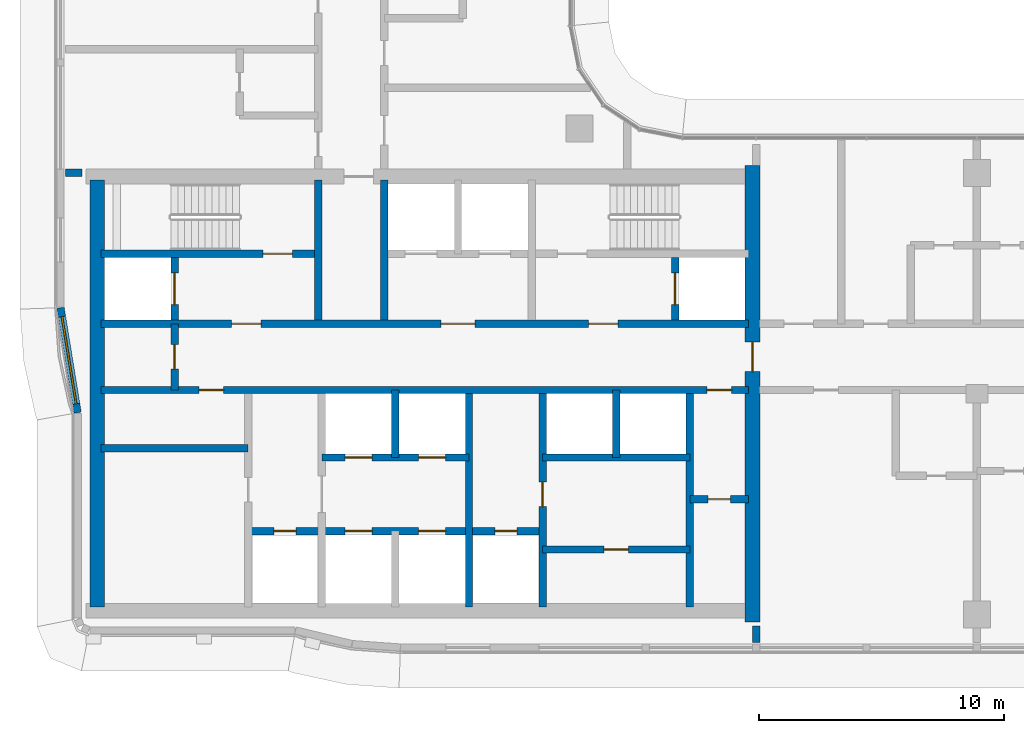
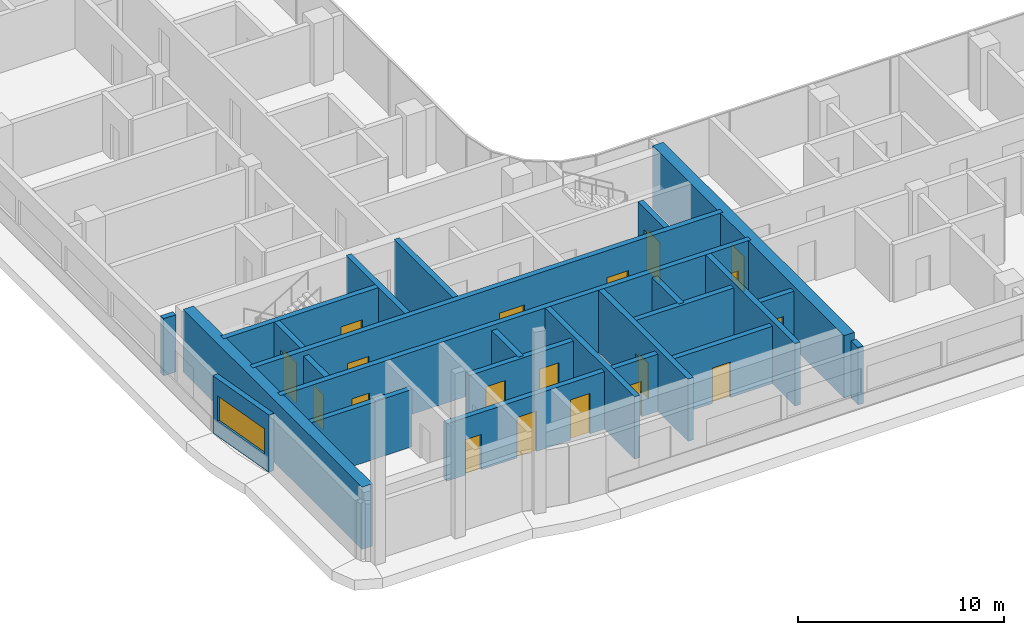
# One storey, part 9 of 24: 24 walls, 19 doors, 1 window, 20 openings.
"""IFC4 building model written with IfcOpenShell, lengths in metres."""

from ifc_helpers import new_model, si_unit, direction, frame, frame_2d, origin, place, context, subcontext, project, spatial, rectangle, extrude, material, layer, layer_set, type_object, element, fill, save


model = new_model("IFC4")

# Units and contexts
model_context = context("Model", 3, precision=1e-05, world=origin(), true_north=direction((0.0, 1.0)))
body_context = subcontext(model_context, "Body", "Model", "MODEL_VIEW")
ifc_project = project(units=[si_unit("LENGTHUNIT", "METRE"), si_unit("AREAUNIT", "SQUARE_METRE"), si_unit("VOLUMEUNIT", "CUBIC_METRE"), si_unit("PLANEANGLEUNIT", "RADIAN"), si_unit("MASSUNIT", "GRAM", prefix="KILO")], contexts=[model_context])

# Site, building, storey
site_placement = place(None, origin())
site = spatial("IfcSite", under=ifc_project, at=site_placement, CompositionType="ELEMENT")
building_placement = place(site_placement, origin())
building = spatial("IfcBuilding", under=site, at=building_placement, Name="Ogive Portal Towers", CompositionType="ELEMENT")
storey_placement = place(building_placement, frame((0.0, 0.0, 142.199951171875)))
storey = spatial("IfcBuildingStorey", under=building, at=storey_placement, Name="L34", CompositionType="ELEMENT", Elevation=142.199951171875)

# Wall
ifc_material_1 = material(Name="Concrete C60/75", Category="concrete")
ifc_layer_1 = layer(ifc_material_1, 0.300048828125)
ifc_layer_set_1 = layer_set([ifc_layer_1], Name="CORE WALL 300 C60")
wall_type_1 = type_object("IfcWallType", Name="CORE WALL 300 C60", PredefinedType="SHEAR", material=ifc_layer_set_1)
wall_1_placement = place(storey_placement, frame((46.800048828125, 21.800048828125, 0.0), z_axis=(0.0, 0.0, 1.0), x_axis=(0.0, 1.0, 0.0)))
element("IfcWall", 1, at=wall_1_placement, inside=storey, type_object=wall_type_1, Name="Core wall X3 L34", PredefinedType="SHEAR", context=body_context, shape_type="SweptSolid", body=[
    extrude(rectangle(XDim=8.699951171875, YDim=0.300048828125, at=frame_2d((4.35009765625, 0.0))), origin(), (0.0, 0.0, 1.0), 3.699951171875),
])

# Wall, opening, door
wall_2_placement = place(storey_placement, frame((49.800048828125, 21.800048828125, 0.0), z_axis=(0.0, 0.0, 1.0), x_axis=(0.0, 1.0, 0.0)))
wall_2 = element("IfcWall", 2, at=wall_2_placement, inside=storey, type_object=wall_type_1, Name="Core wall X4 L34", PredefinedType="SHEAR", context=body_context, shape_type="SweptSolid", body=[
    extrude(rectangle(XDim=8.699951171875, YDim=0.300048828125, at=frame_2d((4.35009765625, 0.0))), origin(), (0.0, 0.0, 1.0), 3.699951171875),
])
opening_1_placement = place(wall_2_placement, frame((4.10009765625, 0.0, 0.0)))
opening_1 = element("IfcOpeningElement", 3, at=opening_1_placement, cuts=wall_2, Name="Opening D13-023", PredefinedType="OPENING", context=body_context, shape_type="SweptSolid", body=[
    extrude(rectangle(XDim=1.0, YDim=2.10009765625, at=frame_2d((0.5, 1.050048828125))), frame((0.0, 0.16015625, 0.0), z_axis=(0.0, -1.0, 0.0), x_axis=(1.0, 0.0, 0.0)), (0.0, 0.0, 1.0), 0.320068359375),
])
ifc_material_2 = material(Name="Steel fire door", Category="steel")
door_type_1 = type_object("IfcDoorType", Name="DT-SWING-1000x2100-FD90S", OperationType="SINGLE_SWING_LEFT", PredefinedType="DOOR", material=ifc_material_2)
door_1_placement = place(opening_1_placement, origin())
door_1 = element("IfcDoor", 4, at=door_1_placement, inside=storey, type_object=door_type_1, Name="Door D13-023", OperationType="SINGLE_SWING_LEFT", OverallHeight=2.10009765625, OverallWidth=1.0, PredefinedType="DOOR", context=body_context, shape_type="SweptSolid", body=[
    extrude(rectangle(XDim=1.0, YDim=2.10009765625, at=frame_2d((0.5, 1.050048828125))), frame((0.0, 0.02490234375, 0.0), z_axis=(0.0, -1.0, 0.0), x_axis=(1.0, 0.0, 0.0)), (0.0, 0.0, 1.0), 0.050048828125),
])
fill(opening_1, door_1)

# Wall
wall_3_placement = place(storey_placement, frame((55.800048828125, 21.800048828125, 0.0), z_axis=(0.0, 0.0, 1.0), x_axis=(0.0, 1.0, 0.0)))
element("IfcWall", 5, at=wall_3_placement, inside=storey, type_object=wall_type_1, Name="Core wall X5 L34", PredefinedType="SHEAR", context=body_context, shape_type="SweptSolid", body=[
    extrude(rectangle(XDim=8.699951171875, YDim=0.300048828125, at=frame_2d((4.35009765625, 0.0))), origin(), (0.0, 0.0, 1.0), 3.699951171875),
])

# Wall, openings, doors
wall_4_placement = place(storey_placement, frame((31.800048828125, 30.64990234375, 0.0), z_axis=(0.0, 0.0, 1.0), x_axis=(1.0, 0.0, 0.0)))
wall_4 = element("IfcWall", 6, at=wall_4_placement, inside=storey, type_object=wall_type_1, Name="Core wall Y1 L34", PredefinedType="SHEAR", context=body_context, shape_type="SweptSolid", body=[
    extrude(rectangle(XDim=26.39990234375, YDim=0.300048828125, at=frame_2d((13.199951171875, 0.0))), origin(), (0.0, 0.0, 1.0), 3.699951171875),
])
opening_2_placement = place(wall_4_placement, frame((24.699951171875, 0.0, 0.0)))
opening_2 = element("IfcOpeningElement", 7, at=opening_2_placement, cuts=wall_4, Name="Opening D13-009", PredefinedType="OPENING", context=body_context, shape_type="SweptSolid", body=[
    extrude(rectangle(XDim=1.0, YDim=2.10009765625, at=frame_2d((0.5, 1.050048828125))), frame((0.0, 0.16015625, 0.0), z_axis=(0.0, -1.0, 0.0), x_axis=(1.0, 0.0, 0.0)), (0.0, 0.0, 1.0), 0.320068359375),
])
opening_3_placement = place(wall_4_placement, frame((4.0, 0.0, 0.0)))
opening_3 = element("IfcOpeningElement", 8, at=opening_3_placement, cuts=wall_4, Name="Opening D13-021", PredefinedType="OPENING", context=body_context, shape_type="SweptSolid", body=[
    extrude(rectangle(XDim=1.0, YDim=2.10009765625, at=frame_2d((0.5, 1.050048828125))), frame((0.0, 0.16015625, 0.0), z_axis=(0.0, -1.0, 0.0), x_axis=(1.0, 0.0, 0.0)), (0.0, 0.0, 1.0), 0.320068359375),
])
door_2_placement = place(opening_2_placement, origin())
door_2 = element("IfcDoor", 9, at=door_2_placement, inside=storey, type_object=door_type_1, Name="Door D13-009", OperationType="SINGLE_SWING_LEFT", OverallHeight=2.10009765625, OverallWidth=1.0, PredefinedType="DOOR", context=body_context, shape_type="SweptSolid", body=[
    extrude(rectangle(XDim=1.0, YDim=2.10009765625, at=frame_2d((0.5, 1.050048828125))), frame((0.0, 0.02490234375, 0.0), z_axis=(0.0, -1.0, 0.0), x_axis=(1.0, 0.0, 0.0)), (0.0, 0.0, 1.0), 0.050048828125),
])
fill(opening_2, door_2)
door_3_placement = place(opening_3_placement, origin())
door_3 = element("IfcDoor", 10, at=door_3_placement, inside=storey, type_object=door_type_1, Name="Riser access door D13-021", OperationType="SINGLE_SWING_LEFT", OverallHeight=2.10009765625, OverallWidth=1.0, PredefinedType="DOOR", context=body_context, shape_type="SweptSolid", body=[
    extrude(rectangle(XDim=1.0, YDim=2.10009765625, at=frame_2d((0.5, 1.050048828125))), frame((0.0, 0.02490234375, 0.0), z_axis=(0.0, -1.0, 0.0), x_axis=(1.0, 0.0, 0.0)), (0.0, 0.0, 1.0), 0.050048828125),
])
fill(opening_3, door_3)

wall_5_placement = place(storey_placement, frame((31.800048828125, 33.35009765625, 0.0), z_axis=(0.0, 0.0, 1.0), x_axis=(1.0, 0.0, 0.0)))
wall_5 = element("IfcWall", 11, at=wall_5_placement, inside=storey, type_object=wall_type_1, Name="Core wall Y2 L34", PredefinedType="SHEAR", context=body_context, shape_type="SweptSolid", body=[
    extrude(rectangle(XDim=26.39990234375, YDim=0.300048828125, at=frame_2d((13.199951171875, 0.0))), origin(), (0.0, 0.0, 1.0), 3.699951171875),
])
opening_4_placement = place(wall_5_placement, frame((13.85009765625, 0.0, 0.0)))
opening_4 = element("IfcOpeningElement", 12, at=opening_4_placement, cuts=wall_5, Name="Opening D13-002", PredefinedType="OPENING", context=body_context, shape_type="SweptSolid", body=[
    extrude(rectangle(XDim=1.39990234375, YDim=2.10009765625, at=frame_2d((0.699951171875, 1.050048828125))), frame((0.0, 0.16015625, 0.0), z_axis=(0.0, -1.0, 0.0), x_axis=(1.0, 0.0, 0.0)), (0.0, 0.0, 1.0), 0.320068359375),
])
opening_5_placement = place(wall_5_placement, frame((5.324951171875, 0.0, 0.0)))
opening_5 = element("IfcOpeningElement", 13, at=opening_5_placement, cuts=wall_5, Name="Opening D13-003", PredefinedType="OPENING", context=body_context, shape_type="SweptSolid", body=[
    extrude(rectangle(XDim=1.199951171875, YDim=2.10009765625, at=frame_2d((0.60009765625, 1.050048828125))), frame((0.0, 0.16015625, 0.0), z_axis=(0.0, -1.0, 0.0), x_axis=(1.0, 0.0, 0.0)), (0.0, 0.0, 1.0), 0.320068359375),
])
opening_6_placement = place(wall_5_placement, frame((19.875, 0.0, 0.0)))
opening_6 = element("IfcOpeningElement", 14, at=opening_6_placement, cuts=wall_5, Name="Opening D13-004", PredefinedType="OPENING", context=body_context, shape_type="SweptSolid", body=[
    extrude(rectangle(XDim=1.199951171875, YDim=2.10009765625, at=frame_2d((0.60009765625, 1.050048828125))), frame((0.0, 0.16015625, 0.0), z_axis=(0.0, -1.0, 0.0), x_axis=(1.0, 0.0, 0.0)), (0.0, 0.0, 1.0), 0.320068359375),
])
door_type_2 = type_object("IfcDoorType", Name="DT-SWING-1200x2100-FD90S", OperationType="SINGLE_SWING_LEFT", PredefinedType="DOOR", material=ifc_material_2)
door_4_placement = place(opening_5_placement, origin())
door_4 = element("IfcDoor", 15, at=door_4_placement, inside=storey, type_object=door_type_2, Name="Door D13-003", OperationType="SINGLE_SWING_LEFT", OverallHeight=2.10009765625, OverallWidth=1.199951171875, PredefinedType="DOOR", context=body_context, shape_type="SweptSolid", body=[
    extrude(rectangle(XDim=1.199951171875, YDim=2.10009765625, at=frame_2d((0.60009765625, 1.050048828125))), frame((0.0, 0.02490234375, 0.0), z_axis=(0.0, -1.0, 0.0), x_axis=(1.0, 0.0, 0.0)), (0.0, 0.0, 1.0), 0.050048828125),
])
fill(opening_5, door_4)
door_5_placement = place(opening_6_placement, origin())
door_5 = element("IfcDoor", 16, at=door_5_placement, inside=storey, type_object=door_type_2, Name="Door D13-004", OperationType="SINGLE_SWING_RIGHT", OverallHeight=2.10009765625, OverallWidth=1.199951171875, PredefinedType="DOOR", context=body_context, shape_type="SweptSolid", body=[
    extrude(rectangle(XDim=1.199951171875, YDim=2.10009765625, at=frame_2d((0.60009765625, 1.050048828125))), frame((0.0, 0.02490234375, 0.0), z_axis=(0.0, -1.0, 0.0), x_axis=(1.0, 0.0, 0.0)), (0.0, 0.0, 1.0), 0.050048828125),
])
fill(opening_6, door_5)
door_type_3 = type_object("IfcDoorType", Name="DT-SWING-1400x2100-FD90S", OperationType="SINGLE_SWING_LEFT", PredefinedType="DOOR", material=ifc_material_2)
door_6_placement = place(opening_4_placement, origin())
door_6 = element("IfcDoor", 17, at=door_6_placement, inside=storey, type_object=door_type_3, Name="Door D13-002", OperationType="SINGLE_SWING_RIGHT", OverallHeight=2.10009765625, OverallWidth=1.39990234375, PredefinedType="DOOR", context=body_context, shape_type="SweptSolid", body=[
    extrude(rectangle(XDim=1.39990234375, YDim=2.10009765625, at=frame_2d((0.699951171875, 1.050048828125))), frame((0.0, 0.02490234375, 0.0), z_axis=(0.0, -1.0, 0.0), x_axis=(1.0, 0.0, 0.0)), (0.0, 0.0, 1.0), 0.050048828125),
])
fill(opening_4, door_6)

# Wall, opening, door
wall_6_placement = place(storey_placement, frame((31.800048828125, 36.199951171875, 0.0), z_axis=(0.0, 0.0, 1.0), x_axis=(1.0, 0.0, 0.0)))
wall_6 = element("IfcWall", 18, at=wall_6_placement, inside=storey, type_object=wall_type_1, Name="Core wall Y3a L34", PredefinedType="SHEAR", context=body_context, shape_type="SweptSolid", body=[
    extrude(rectangle(XDim=8.699951171875, YDim=0.300048828125, at=frame_2d((4.35009765625, 0.0))), origin(), (0.0, 0.0, 1.0), 3.699951171875),
])
opening_7_placement = place(wall_6_placement, frame((6.60009765625, 0.0, 0.0)))
opening_7 = element("IfcOpeningElement", 19, at=opening_7_placement, cuts=wall_6, Name="Opening D13-005", PredefinedType="OPENING", context=body_context, shape_type="SweptSolid", body=[
    extrude(rectangle(XDim=1.199951171875, YDim=2.10009765625, at=frame_2d((0.60009765625, 1.050048828125))), frame((0.0, 0.16015625, 0.0), z_axis=(0.0, -1.0, 0.0), x_axis=(1.0, 0.0, 0.0)), (0.0, 0.0, 1.0), 0.320068359375),
])
door_7_placement = place(opening_7_placement, origin())
door_7 = element("IfcDoor", 20, at=door_7_placement, inside=storey, type_object=door_type_2, Name="Door D13-005", OperationType="SINGLE_SWING_RIGHT", OverallHeight=2.10009765625, OverallWidth=1.199951171875, PredefinedType="DOOR", context=body_context, shape_type="SweptSolid", body=[
    extrude(rectangle(XDim=1.199951171875, YDim=2.10009765625, at=frame_2d((0.60009765625, 1.050048828125))), frame((0.0, 0.02490234375, 0.0), z_axis=(0.0, -1.0, 0.0), x_axis=(1.0, 0.0, 0.0)), (0.0, 0.0, 1.0), 0.050048828125),
])
fill(opening_7, door_7)

# Walls
for number, where, z_axis, x_axis, name in (
    (21, (40.64990234375, 33.5, 0.0), (0.0, 0.0, 1.0), (0.0, 1.0, 0.0), "Core wall X6 L34"),
    (22, (43.35009765625, 33.5, 0.0), (0.0, 0.0, 1.0), (0.0, 1.0, 0.0), "Core wall X7 L34"),
):
    element("IfcWall", number, at=place(storey_placement, frame(where, z_axis=z_axis, x_axis=x_axis)), inside=storey, type_object=wall_type_1, Name=name, PredefinedType="SHEAR", context=body_context, shape_type="SweptSolid", body=[
        extrude(rectangle(XDim=5.699951171875, YDim=0.300048828125, at=frame_2d((2.85009765625, 0.0))), origin(), (0.0, 0.0, 1.0), 3.699951171875),
    ])

# Wall, opening, door
wall_7_placement = place(storey_placement, frame((34.800048828125, 33.5, 0.0), z_axis=(0.0, 0.0, 1.0), x_axis=(0.0, 1.0, 0.0)))
wall_7 = element("IfcWall", 23, at=wall_7_placement, inside=storey, type_object=wall_type_1, Name="Core wall X8 L34", PredefinedType="SHEAR", context=body_context, shape_type="SweptSolid", body=[
    extrude(rectangle(XDim=2.550048828125, YDim=0.300048828125, at=frame_2d((1.27490234375, 0.0))), origin(), (0.0, 0.0, 1.0), 3.699951171875),
])
opening_8_placement = place(wall_7_placement, frame((0.625, 0.0, 0.0)))
opening_8 = element("IfcOpeningElement", 24, at=opening_8_placement, cuts=wall_7, Name="Opening D13-019", PredefinedType="OPENING", context=body_context, shape_type="SweptSolid", body=[
    extrude(rectangle(XDim=1.300048828125, YDim=2.39990234375, at=frame_2d((0.64990234375, 1.199951171875))), frame((0.0, 0.16015625, 0.0), z_axis=(0.0, -1.0, 0.0), x_axis=(1.0, 0.0, 0.0)), (0.0, 0.0, 1.0), 0.320068359375),
])
ifc_material_3 = material(Name="Stainless steel", Category="steel")
door_type_4 = type_object("IfcDoorType", Name="DT-LD-1300x2400", OperationType="SLIDING_TO_LEFT", PredefinedType="DOOR", material=ifc_material_3)
door_8_placement = place(opening_8_placement, origin())
door_8 = element("IfcDoor", 25, at=door_8_placement, inside=storey, type_object=door_type_4, Name="Door D13-019", OperationType="SLIDING_TO_LEFT", OverallHeight=2.39990234375, OverallWidth=1.300048828125, PredefinedType="DOOR", context=body_context, shape_type="SweptSolid", body=[
    extrude(rectangle(XDim=1.300048828125, YDim=2.39990234375, at=frame_2d((0.64990234375, 1.199951171875))), frame((0.0, 0.02490234375, 0.0), z_axis=(0.0, -1.0, 0.0), x_axis=(1.0, 0.0, 0.0)), (0.0, 0.0, 1.0), 0.050048828125),
])
fill(opening_8, door_8)

wall_8_placement = place(storey_placement, frame((55.199951171875, 33.5, 0.0), z_axis=(0.0, 0.0, 1.0), x_axis=(0.0, 1.0, 0.0)))
wall_8 = element("IfcWall", 26, at=wall_8_placement, inside=storey, type_object=wall_type_1, Name="Core wall X10 L34", PredefinedType="SHEAR", context=body_context, shape_type="SweptSolid", body=[
    extrude(rectangle(XDim=2.550048828125, YDim=0.300048828125, at=frame_2d((1.27490234375, 0.0))), origin(), (0.0, 0.0, 1.0), 3.699951171875),
])
opening_9_placement = place(wall_8_placement, frame((0.625, 0.0, 0.0)))
opening_9 = element("IfcOpeningElement", 27, at=opening_9_placement, cuts=wall_8, Name="Opening D13-020", PredefinedType="OPENING", context=body_context, shape_type="SweptSolid", body=[
    extrude(rectangle(XDim=1.300048828125, YDim=2.39990234375, at=frame_2d((0.64990234375, 1.199951171875))), frame((0.0, 0.16015625, 0.0), z_axis=(0.0, -1.0, 0.0), x_axis=(1.0, 0.0, 0.0)), (0.0, 0.0, 1.0), 0.320068359375),
])
door_9_placement = place(opening_9_placement, origin())
door_9 = element("IfcDoor", 28, at=door_9_placement, inside=storey, type_object=door_type_4, Name="Door D13-020", OperationType="SLIDING_TO_LEFT", OverallHeight=2.39990234375, OverallWidth=1.300048828125, PredefinedType="DOOR", context=body_context, shape_type="SweptSolid", body=[
    extrude(rectangle(XDim=1.300048828125, YDim=2.39990234375, at=frame_2d((0.64990234375, 1.199951171875))), frame((0.0, 0.02490234375, 0.0), z_axis=(0.0, -1.0, 0.0), x_axis=(1.0, 0.0, 0.0)), (0.0, 0.0, 1.0), 0.050048828125),
])
fill(opening_9, door_9)

# Wall
ifc_layer_2 = layer(ifc_material_1, 0.60009765625)
ifc_layer_set_2 = layer_set([ifc_layer_2], Name="CORE WALL 600 C60")
wall_type_2 = type_object("IfcWallType", Name="CORE WALL 600 C60", PredefinedType="SHEAR", material=ifc_layer_set_2)
wall_9_placement = place(storey_placement, frame((31.64990234375, 21.800048828125, 0.0), z_axis=(0.0, 0.0, 1.0), x_axis=(0.0, 1.0, 0.0)))
element("IfcWall", 29, at=wall_9_placement, inside=storey, type_object=wall_type_2, Name="Core wall W L34", PredefinedType="SHEAR", context=body_context, shape_type="SweptSolid", body=[
    extrude(rectangle(XDim=17.39990234375, YDim=0.60009765625, at=frame_2d((8.699951171875, 0.0))), origin(), (0.0, 0.0, 1.0), 3.699951171875),
])

# Wall, opening, door
wall_10_placement = place(storey_placement, frame((58.35009765625, 21.199951171875, 0.0), z_axis=(0.0, 0.0, 1.0), x_axis=(0.0, 1.0, 0.0)))
wall_10 = element("IfcWall", 30, at=wall_10_placement, inside=storey, type_object=wall_type_2, Name="Core wall E L34", PredefinedType="SHEAR", context=body_context, shape_type="SweptSolid", body=[
    extrude(rectangle(XDim=18.60009765625, YDim=0.60009765625, at=frame_2d((9.300048828125, 0.0))), origin(), (0.0, 0.0, 1.0), 3.699951171875),
])
opening_10_placement = place(wall_10_placement, frame((10.199951171875, 0.0, 0.0)))
opening_10 = element("IfcOpeningElement", 31, at=opening_10_placement, cuts=wall_10, Name="Opening D13-011", PredefinedType="OPENING", context=body_context, shape_type="SweptSolid", body=[
    extrude(rectangle(XDim=1.199951171875, YDim=2.10009765625, at=frame_2d((0.60009765625, 1.050048828125))), frame((0.0, 0.31005859375, 0.0), z_axis=(0.0, -1.0, 0.0), x_axis=(1.0, 0.0, 0.0)), (0.0, 0.0, 1.0), 0.6201171875),
])
door_10_placement = place(opening_10_placement, origin())
door_10 = element("IfcDoor", 32, at=door_10_placement, inside=storey, type_object=door_type_2, Name="Door D13-011", OperationType="SINGLE_SWING_LEFT", OverallHeight=2.10009765625, OverallWidth=1.199951171875, PredefinedType="DOOR", context=body_context, shape_type="SweptSolid", body=[
    extrude(rectangle(XDim=1.199951171875, YDim=2.10009765625, at=frame_2d((0.60009765625, 1.050048828125))), frame((0.0, 0.02490234375, 0.0), z_axis=(0.0, -1.0, 0.0), x_axis=(1.0, 0.0, 0.0)), (0.0, 0.0, 1.0), 0.050048828125),
])
fill(opening_10, door_10)

# Wall, opening, window
ifc_material_4 = material(Name="Limestone cladding on lightweight block wall", Category="masonry")
ifc_layer_3 = layer(ifc_material_4, 0.300048828125)
ifc_layer_set_3 = layer_set([ifc_layer_3], Name="EXTERNAL WALL 300 STONE")
wall_type_3 = type_object("IfcWallType", Name="EXTERNAL WALL 300 STONE", PredefinedType="SOLIDWALL", material=ifc_layer_set_3)
wall_11_placement = place(storey_placement, frame((30.15185546875, 34.000244140625, 0.0), z_axis=(0.0, 0.0, 1.0), x_axis=(0.160697303067, -0.987003736967, 0.0)))
wall_11 = element("IfcWall", 33, at=wall_11_placement, inside=storey, type_object=wall_type_3, Name="A:L34:f25:r0:wall", PredefinedType="SOLIDWALL", context=body_context, shape_type="SweptSolid", body=[
    extrude(rectangle(XDim=4.3330078125, YDim=0.300048828125, at=frame_2d((2.16650390625, 0.0))), origin(), (0.0, 0.0, 1.0), 3.400146484375),
])
opening_11_placement = place(wall_11_placement, frame((0.366455078125, 0.0, 0.89990234375)))
opening_11 = element("IfcOpeningElement", 34, at=opening_11_placement, cuts=wall_11, Name="Opening WN12", PredefinedType="OPENING", context=body_context, shape_type="SweptSolid", body=[
    extrude(rectangle(XDim=3.60009765625, YDim=1.5, at=frame_2d((1.800048828125, 0.75))), frame((0.0, 0.16015625, 0.0), z_axis=(0.0, -1.0, 0.0), x_axis=(1.0, 0.0, 0.0)), (0.0, 0.0, 1.0), 0.320068359375),
])
ifc_material_5 = material(Name="Glass, clear low-iron insulated glazing", Category="glass")
window_type = type_object("IfcWindowType", Name="WINDOW RIBBON 3600x1500", PartitioningType="TRIPLE_PANEL_VERTICAL", PredefinedType="WINDOW", material=ifc_material_5)
window_placement = place(opening_11_placement, origin())
window = element("IfcWindow", 35, at=window_placement, inside=storey, type_object=window_type, Name="A:L34:f25:r0:w0", OverallHeight=1.5, OverallWidth=3.60009765625, PartitioningType="SINGLE_PANEL", PredefinedType="WINDOW", context=body_context, shape_type="SweptSolid", body=[
    extrude(rectangle(XDim=3.60009765625, YDim=1.5, at=frame_2d((1.800048828125, 0.75))), frame((0.0, 0.030029296875, 0.0), z_axis=(0.0, -1.0, 0.0), x_axis=(1.0, 0.0, 0.0)), (0.0, 0.0, 1.0), 0.06005859375),
])
fill(opening_11, window)

# Wall, opening, door
ifc_material_6 = material(Name="Gypsum board partition on steel studs", Category="steel")
ifc_layer_4 = layer(ifc_material_6, 0.300048828125)
ifc_layer_set_4 = layer_set([ifc_layer_4], Name="WT-PART-300")
wall_type_4 = type_object("IfcWallType", Name="WT-PART-300", PredefinedType="PARTITIONING", material=ifc_layer_set_4)
wall_12_placement = place(storey_placement, frame((49.800048828125, 24.14990234375, 0.0), z_axis=(0.0, 0.0, 1.0), x_axis=(1.0, 0.0, 0.0)))
wall_12 = element("IfcWall", 36, at=wall_12_placement, inside=storey, type_object=wall_type_4, Name="Wall pw:001:L34", PredefinedType="PARTITIONING", context=body_context, shape_type="SweptSolid", body=[
    extrude(rectangle(XDim=6.0, YDim=0.300048828125, at=frame_2d((3.0, 0.0))), origin(), (0.0, 0.0, 1.0), 3.400146484375),
])
opening_12_placement = place(wall_12_placement, frame((2.5, 0.0, 0.0)))
opening_12 = element("IfcOpeningElement", 37, at=opening_12_placement, cuts=wall_12, Name="Opening D13-024", PredefinedType="OPENING", context=body_context, shape_type="SweptSolid", body=[
    extrude(rectangle(XDim=1.0, YDim=2.10009765625, at=frame_2d((0.5, 1.050048828125))), frame((0.0, 0.16015625, 0.0), z_axis=(0.0, -1.0, 0.0), x_axis=(1.0, 0.0, 0.0)), (0.0, 0.0, 1.0), 0.320068359375),
])
door_type_5 = type_object("IfcDoorType", Name="DT-SWING-1000x2100-FD60S", OperationType="SINGLE_SWING_LEFT", PredefinedType="DOOR", material=ifc_material_2)
door_11_placement = place(opening_12_placement, origin())
door_11 = element("IfcDoor", 38, at=door_11_placement, inside=storey, type_object=door_type_5, Name="Door D13-024", OperationType="SINGLE_SWING_RIGHT", OverallHeight=2.10009765625, OverallWidth=1.0, PredefinedType="DOOR", context=body_context, shape_type="SweptSolid", body=[
    extrude(rectangle(XDim=1.0, YDim=2.10009765625, at=frame_2d((0.5, 1.050048828125))), frame((0.0, 0.02490234375, 0.0), z_axis=(0.0, -1.0, 0.0), x_axis=(1.0, 0.0, 0.0)), (0.0, 0.0, 1.0), 0.050048828125),
])
fill(opening_12, door_11)

wall_13_placement = place(storey_placement, frame((55.800048828125, 26.199951171875, 0.0), z_axis=(0.0, 0.0, 1.0), x_axis=(1.0, 0.0, 0.0)))
wall_13 = element("IfcWall", 39, at=wall_13_placement, inside=storey, type_object=wall_type_4, Name="Wall pw:003:L34", PredefinedType="PARTITIONING", context=body_context, shape_type="SweptSolid", body=[
    extrude(rectangle(XDim=2.39990234375, YDim=0.300048828125, at=frame_2d((1.199951171875, 0.0))), origin(), (0.0, 0.0, 1.0), 3.400146484375),
])
opening_13_placement = place(wall_13_placement, frame((0.75, 0.0, 0.0)))
opening_13 = element("IfcOpeningElement", 40, at=opening_13_placement, cuts=wall_13, Name="Opening D13-010", PredefinedType="OPENING", context=body_context, shape_type="SweptSolid", body=[
    extrude(rectangle(XDim=0.89990234375, YDim=2.10009765625, at=frame_2d((0.449951171875, 1.050048828125))), frame((0.0, 0.16015625, 0.0), z_axis=(0.0, -1.0, 0.0), x_axis=(1.0, 0.0, 0.0)), (0.0, 0.0, 1.0), 0.320068359375),
])
door_type_6 = type_object("IfcDoorType", Name="DT-SWING-900x2100-FD60S", OperationType="SINGLE_SWING_LEFT", PredefinedType="DOOR", material=ifc_material_2)
door_12_placement = place(opening_13_placement, origin())
door_12 = element("IfcDoor", 41, at=door_12_placement, inside=storey, type_object=door_type_6, Name="Door D13-010", OperationType="SINGLE_SWING_RIGHT", OverallHeight=2.10009765625, OverallWidth=0.89990234375, PredefinedType="DOOR", context=body_context, shape_type="SweptSolid", body=[
    extrude(rectangle(XDim=0.89990234375, YDim=2.10009765625, at=frame_2d((0.449951171875, 1.050048828125))), frame((0.0, 0.02490234375, 0.0), z_axis=(0.0, -1.0, 0.0), x_axis=(1.0, 0.0, 0.0)), (0.0, 0.0, 1.0), 0.050048828125),
])
fill(opening_13, door_12)

# Walls
wall_14_placement = place(storey_placement, frame((31.800048828125, 28.277099609375, 0.0), z_axis=(0.0, 0.0, 1.0), x_axis=(1.0, 0.0, 0.0)))
element("IfcWall", 42, at=wall_14_placement, inside=storey, type_object=wall_type_4, Name="Wall pw:006:L34", PredefinedType="PARTITIONING", context=body_context, shape_type="SweptSolid", body=[
    extrude(rectangle(XDim=6.0, YDim=0.300048828125, at=frame_2d((3.0, 0.0))), origin(), (0.0, 0.0, 1.0), 3.400146484375),
])
ifc_layer_5 = layer(ifc_material_6, 0.300048828125)
ifc_layer_set_5 = layer_set([ifc_layer_5], Name="WT-PART-300-EI 60")
wall_type_5 = type_object("IfcWallType", Name="WT-PART-300-EI 60", PredefinedType="PARTITIONING", material=ifc_layer_set_5)
for number, where, z_axis, x_axis, name in (
    (43, (30.35009765625, 39.5, 0.0), (0.0, 0.0, 1.0), (1.0, 0.0, 0.0), "Wall L34:w013"),
    (44, (58.5, 20.35009765625, 0.0), (0.0, 0.0, 1.0), (0.0, 1.0, 0.0), "Wall L34:w042"),
):
    element("IfcWall", number, at=place(storey_placement, frame(where, z_axis=z_axis, x_axis=x_axis)), inside=storey, type_object=wall_type_5, Name=name, PredefinedType="PARTITIONING", context=body_context, shape_type="SweptSolid", body=[
        extrude(rectangle(XDim=0.679931640625, YDim=0.300048828125, at=frame_2d((0.33984375, 0.0))), origin(), (0.0, 0.0, 1.0), 3.400146484375),
    ])

# Wall, openings, doors
ifc_material_7 = material(Name="Concrete C40/50", Category="concrete")
ifc_layer_6 = layer(ifc_material_7, 0.300048828125)
ifc_layer_set_6 = layer_set([ifc_layer_6], Name="WT-SHAFT-300")
wall_type_6 = type_object("IfcWallType", Name="WT-SHAFT-300", PredefinedType="SOLIDWALL", material=ifc_layer_set_6)
wall_15_placement = place(storey_placement, frame((37.800048828125, 24.89990234375, 0.0), z_axis=(0.0, 0.0, 1.0), x_axis=(1.0, 0.0, 0.0)))
wall_15 = element("IfcWall", 45, at=wall_15_placement, inside=storey, type_object=wall_type_6, Name="Wall pw:002:L34", PredefinedType="SOLIDWALL", context=body_context, shape_type="SweptSolid", body=[
    extrude(rectangle(XDim=12.0, YDim=0.300048828125, at=frame_2d((6.0, 0.0))), origin(), (0.0, 0.0, 1.0), 3.400146484375),
])
opening_14_placement = place(wall_15_placement, frame((1.050048828125, 0.0, 0.0)))
opening_14 = element("IfcOpeningElement", 46, at=opening_14_placement, cuts=wall_15, Name="Opening D13-007", PredefinedType="OPENING", context=body_context, shape_type="SweptSolid", body=[
    extrude(rectangle(XDim=0.89990234375, YDim=2.10009765625, at=frame_2d((0.449951171875, 1.050048828125))), frame((0.0, 0.16015625, 0.0), z_axis=(0.0, -1.0, 0.0), x_axis=(1.0, 0.0, 0.0)), (0.0, 0.0, 1.0), 0.320068359375),
])
opening_15_placement = place(wall_15_placement, frame((10.050048828125, 0.0, 0.0)))
opening_15 = element("IfcOpeningElement", 47, at=opening_15_placement, cuts=wall_15, Name="Opening D13-008", PredefinedType="OPENING", context=body_context, shape_type="SweptSolid", body=[
    extrude(rectangle(XDim=0.89990234375, YDim=2.10009765625, at=frame_2d((0.449951171875, 1.050048828125))), frame((0.0, 0.16015625, 0.0), z_axis=(0.0, -1.0, 0.0), x_axis=(1.0, 0.0, 0.0)), (0.0, 0.0, 1.0), 0.320068359375),
])
opening_16_placement = place(wall_15_placement, frame((3.949951171875, 0.0, 0.0)))
opening_16 = element("IfcOpeningElement", 48, at=opening_16_placement, cuts=wall_15, Name="Opening D13-013", PredefinedType="OPENING", context=body_context, shape_type="SweptSolid", body=[
    extrude(rectangle(XDim=1.10009765625, YDim=2.39990234375, at=frame_2d((0.550048828125, 1.199951171875))), frame((0.0, 0.16015625, 0.0), z_axis=(0.0, -1.0, 0.0), x_axis=(1.0, 0.0, 0.0)), (0.0, 0.0, 1.0), 0.320068359375),
])
opening_17_placement = place(wall_15_placement, frame((6.949951171875, 0.0, 0.0)))
opening_17 = element("IfcOpeningElement", 49, at=opening_17_placement, cuts=wall_15, Name="Opening D13-014", PredefinedType="OPENING", context=body_context, shape_type="SweptSolid", body=[
    extrude(rectangle(XDim=1.10009765625, YDim=2.39990234375, at=frame_2d((0.550048828125, 1.199951171875))), frame((0.0, 0.16015625, 0.0), z_axis=(0.0, -1.0, 0.0), x_axis=(1.0, 0.0, 0.0)), (0.0, 0.0, 1.0), 0.320068359375),
])
door_type_7 = type_object("IfcDoorType", Name="DT-LD-1100x2400", OperationType="SLIDING_TO_LEFT", PredefinedType="DOOR", material=ifc_material_3)
door_13_placement = place(opening_16_placement, origin())
door_13 = element("IfcDoor", 50, at=door_13_placement, inside=storey, type_object=door_type_7, Name="Door D13-013", OperationType="SLIDING_TO_LEFT", OverallHeight=2.39990234375, OverallWidth=1.10009765625, PredefinedType="DOOR", context=body_context, shape_type="SweptSolid", body=[
    extrude(rectangle(XDim=1.10009765625, YDim=2.39990234375, at=frame_2d((0.550048828125, 1.199951171875))), frame((0.0, 0.02490234375, 0.0), z_axis=(0.0, -1.0, 0.0), x_axis=(1.0, 0.0, 0.0)), (0.0, 0.0, 1.0), 0.050048828125),
])
fill(opening_16, door_13)
door_14_placement = place(opening_17_placement, origin())
door_14 = element("IfcDoor", 51, at=door_14_placement, inside=storey, type_object=door_type_7, Name="Door D13-014", OperationType="SLIDING_TO_LEFT", OverallHeight=2.39990234375, OverallWidth=1.10009765625, PredefinedType="DOOR", context=body_context, shape_type="SweptSolid", body=[
    extrude(rectangle(XDim=1.10009765625, YDim=2.39990234375, at=frame_2d((0.550048828125, 1.199951171875))), frame((0.0, 0.02490234375, 0.0), z_axis=(0.0, -1.0, 0.0), x_axis=(1.0, 0.0, 0.0)), (0.0, 0.0, 1.0), 0.050048828125),
])
fill(opening_17, door_14)
door_type_8 = type_object("IfcDoorType", Name="DT-SWING-900x2100-FD90S", OperationType="SINGLE_SWING_LEFT", PredefinedType="DOOR", material=ifc_material_2)
door_15_placement = place(opening_14_placement, origin())
door_15 = element("IfcDoor", 52, at=door_15_placement, inside=storey, type_object=door_type_8, Name="Riser access door D13-007", OperationType="SINGLE_SWING_LEFT", OverallHeight=2.10009765625, OverallWidth=0.89990234375, PredefinedType="DOOR", context=body_context, shape_type="SweptSolid", body=[
    extrude(rectangle(XDim=0.89990234375, YDim=2.10009765625, at=frame_2d((0.449951171875, 1.050048828125))), frame((0.0, 0.02490234375, 0.0), z_axis=(0.0, -1.0, 0.0), x_axis=(1.0, 0.0, 0.0)), (0.0, 0.0, 1.0), 0.050048828125),
])
fill(opening_14, door_15)
door_16_placement = place(opening_15_placement, origin())
door_16 = element("IfcDoor", 53, at=door_16_placement, inside=storey, type_object=door_type_8, Name="Riser access door D13-008", OperationType="SINGLE_SWING_RIGHT", OverallHeight=2.10009765625, OverallWidth=0.89990234375, PredefinedType="DOOR", context=body_context, shape_type="SweptSolid", body=[
    extrude(rectangle(XDim=0.89990234375, YDim=2.10009765625, at=frame_2d((0.449951171875, 1.050048828125))), frame((0.0, 0.02490234375, 0.0), z_axis=(0.0, -1.0, 0.0), x_axis=(1.0, 0.0, 0.0)), (0.0, 0.0, 1.0), 0.050048828125),
])
fill(opening_15, door_16)

wall_16_placement = place(storey_placement, frame((40.800048828125, 27.89990234375, 0.0), z_axis=(0.0, 0.0, 1.0), x_axis=(1.0, 0.0, 0.0)))
wall_16 = element("IfcWall", 54, at=wall_16_placement, inside=storey, type_object=wall_type_6, Name="Wall pw:004:L34", PredefinedType="SOLIDWALL", context=body_context, shape_type="SweptSolid", body=[
    extrude(rectangle(XDim=6.0, YDim=0.300048828125, at=frame_2d((3.0, 0.0))), origin(), (0.0, 0.0, 1.0), 3.400146484375),
])
opening_18_placement = place(wall_16_placement, frame((0.949951171875, 0.0, 0.0)))
opening_18 = element("IfcOpeningElement", 55, at=opening_18_placement, cuts=wall_16, Name="Opening D13-015", PredefinedType="OPENING", context=body_context, shape_type="SweptSolid", body=[
    extrude(rectangle(XDim=1.10009765625, YDim=2.39990234375, at=frame_2d((0.550048828125, 1.199951171875))), frame((0.0, 0.16015625, 0.0), z_axis=(0.0, -1.0, 0.0), x_axis=(1.0, 0.0, 0.0)), (0.0, 0.0, 1.0), 0.320068359375),
])
opening_19_placement = place(wall_16_placement, frame((3.949951171875, 0.0, 0.0)))
opening_19 = element("IfcOpeningElement", 56, at=opening_19_placement, cuts=wall_16, Name="Opening D13-016", PredefinedType="OPENING", context=body_context, shape_type="SweptSolid", body=[
    extrude(rectangle(XDim=1.10009765625, YDim=2.39990234375, at=frame_2d((0.550048828125, 1.199951171875))), frame((0.0, 0.16015625, 0.0), z_axis=(0.0, -1.0, 0.0), x_axis=(1.0, 0.0, 0.0)), (0.0, 0.0, 1.0), 0.320068359375),
])
door_17_placement = place(opening_18_placement, origin())
door_17 = element("IfcDoor", 57, at=door_17_placement, inside=storey, type_object=door_type_7, Name="Door D13-015", OperationType="SLIDING_TO_LEFT", OverallHeight=2.39990234375, OverallWidth=1.10009765625, PredefinedType="DOOR", context=body_context, shape_type="SweptSolid", body=[
    extrude(rectangle(XDim=1.10009765625, YDim=2.39990234375, at=frame_2d((0.550048828125, 1.199951171875))), frame((0.0, 0.02490234375, 0.0), z_axis=(0.0, -1.0, 0.0), x_axis=(1.0, 0.0, 0.0)), (0.0, 0.0, 1.0), 0.050048828125),
])
fill(opening_18, door_17)
door_18_placement = place(opening_19_placement, origin())
door_18 = element("IfcDoor", 58, at=door_18_placement, inside=storey, type_object=door_type_7, Name="Door D13-016", OperationType="SLIDING_TO_LEFT", OverallHeight=2.39990234375, OverallWidth=1.10009765625, PredefinedType="DOOR", context=body_context, shape_type="SweptSolid", body=[
    extrude(rectangle(XDim=1.10009765625, YDim=2.39990234375, at=frame_2d((0.550048828125, 1.199951171875))), frame((0.0, 0.02490234375, 0.0), z_axis=(0.0, -1.0, 0.0), x_axis=(1.0, 0.0, 0.0)), (0.0, 0.0, 1.0), 0.050048828125),
])
fill(opening_19, door_18)

# Wall
wall_17_placement = place(storey_placement, frame((49.800048828125, 27.89990234375, 0.0), z_axis=(0.0, 0.0, 1.0), x_axis=(1.0, 0.0, 0.0)))
element("IfcWall", 59, at=wall_17_placement, inside=storey, type_object=wall_type_6, Name="Wall pw:005:L34", PredefinedType="SOLIDWALL", context=body_context, shape_type="SweptSolid", body=[
    extrude(rectangle(XDim=6.0, YDim=0.300048828125, at=frame_2d((3.0, 0.0))), origin(), (0.0, 0.0, 1.0), 3.400146484375),
])

# Wall, opening, door
wall_18_placement = place(storey_placement, frame((34.800048828125, 30.64990234375, 0.0), z_axis=(0.0, 0.0, 1.0), x_axis=(0.0, 1.0, 0.0)))
wall_18 = element("IfcWall", 60, at=wall_18_placement, inside=storey, type_object=wall_type_6, Name="Wall pw:007:L34", PredefinedType="SOLIDWALL", context=body_context, shape_type="SweptSolid", body=[
    extrude(rectangle(XDim=2.7001953125, YDim=0.300048828125, at=frame_2d((1.35009765625, 0.0))), origin(), (0.0, 0.0, 1.0), 3.400146484375),
])
opening_20_placement = place(wall_18_placement, frame((0.85009765625, 0.0, 0.0)))
opening_20 = element("IfcOpeningElement", 61, at=opening_20_placement, cuts=wall_18, Name="Opening D13-025", PredefinedType="OPENING", context=body_context, shape_type="SweptSolid", body=[
    extrude(rectangle(XDim=1.0, YDim=2.10009765625, at=frame_2d((0.5, 1.050048828125))), frame((0.0, 0.16015625, 0.0), z_axis=(0.0, -1.0, 0.0), x_axis=(1.0, 0.0, 0.0)), (0.0, 0.0, 1.0), 0.320068359375),
])
door_19_placement = place(opening_20_placement, origin())
door_19 = element("IfcDoor", 62, at=door_19_placement, inside=storey, type_object=door_type_1, Name="Door D13-025", OperationType="SINGLE_SWING_LEFT", OverallHeight=2.10009765625, OverallWidth=1.0, PredefinedType="DOOR", context=body_context, shape_type="SweptSolid", body=[
    extrude(rectangle(XDim=1.0, YDim=2.10009765625, at=frame_2d((0.5, 1.050048828125))), frame((0.0, 0.02490234375, 0.0), z_axis=(0.0, -1.0, 0.0), x_axis=(1.0, 0.0, 0.0)), (0.0, 0.0, 1.0), 0.050048828125),
])
fill(opening_20, door_19)

# Walls
for number, where, z_axis, x_axis, name in (
    (63, (43.800048828125, 27.89990234375, 0.0), (0.0, 0.0, 1.0), (0.0, 1.0, 0.0), "Wall pw:009:L34"),
    (64, (52.800048828125, 27.89990234375, 0.0), (0.0, 0.0, 1.0), (0.0, 1.0, 0.0), "Wall pw:011:L34"),
):
    element("IfcWall", number, at=place(storey_placement, frame(where, z_axis=z_axis, x_axis=x_axis)), inside=storey, type_object=wall_type_6, Name=name, PredefinedType="SOLIDWALL", context=body_context, shape_type="SweptSolid", body=[
        extrude(rectangle(XDim=2.75, YDim=0.300048828125, at=frame_2d((1.375, 0.0))), origin(), (0.0, 0.0, 1.0), 3.400146484375),
    ])

save(model, "model.ifc")
